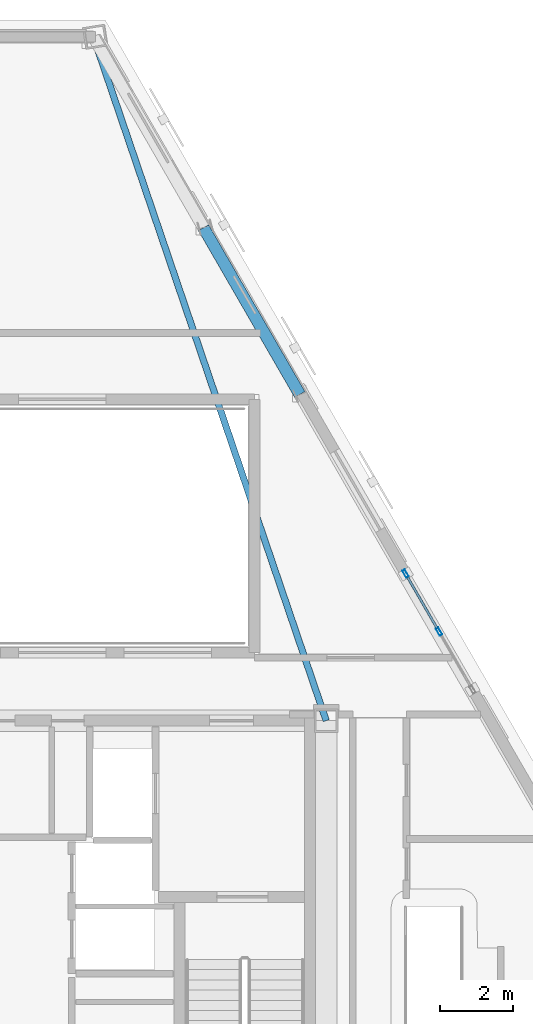
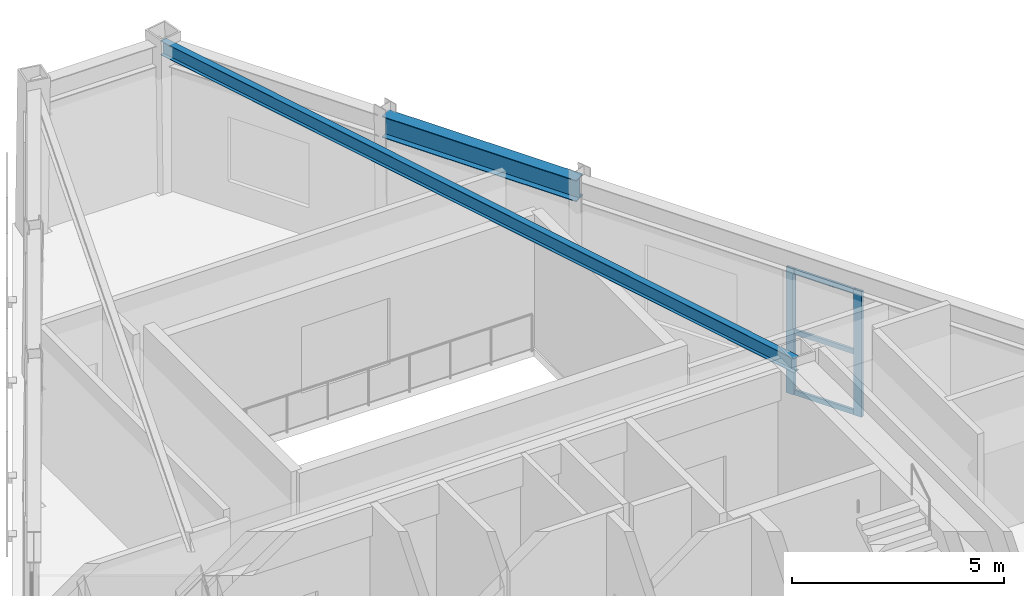
# One storey, part 6 of 14: 5 members, 2 beams, 1 element without a shape of its own.
"""IFC4 building model written with IfcOpenShell, lengths in metres."""

from ifc_helpers import new_model, si_unit, direction, frame, origin, origin_2d, place, context, subcontext, project, spatial, hollow_rectangle, i_section, extrude, material, layer, layer_set, material_profile, profile_set, type_object, element, aggregate, save


model = new_model("IFC4")

# Units and contexts
model_context = context("Model", 3, precision=1e-05, world=origin(), true_north=direction((0.0, 1.0)))
body_context = subcontext(model_context, "Body", "Model", "MODEL_VIEW")
ifc_project = project(units=[si_unit("LENGTHUNIT", "METRE"), si_unit("AREAUNIT", "SQUARE_METRE"), si_unit("VOLUMEUNIT", "CUBIC_METRE"), si_unit("PLANEANGLEUNIT", "RADIAN"), si_unit("MASSUNIT", "GRAM", prefix="KILO")], contexts=[model_context])

# Site, building, storey
site_placement = place(None, origin())
site = spatial("IfcSite", under=ifc_project, at=site_placement, CompositionType="ELEMENT")
building_placement = place(site_placement, origin())
building = spatial("IfcBuilding", under=site, at=building_placement, Name="Oramaril Tower", CompositionType="ELEMENT")
storey_placement = place(building_placement, frame((0.0, 0.0, 309.60009765625)))
storey = spatial("IfcBuildingStorey", under=building, at=storey_placement, Name="L81", CompositionType="ELEMENT", Elevation=309.60009765625)

# Beams
ifc_material_1 = material(Name="Steel ASTM A572 Gr 50", Category="steel")
ifc_material_profile_1 = material_profile(ifc_material_1, i_section(OverallWidth=0.177978515625, OverallDepth=0.404052734375, WebThickness=0.007568359375, FlangeThickness=0.010986328125, at=origin_2d()), Name="W16X36")
ifc_profile_set_1 = profile_set([ifc_material_profile_1], Name="Steel ASTM A572 Gr 50")
beam_type_1 = type_object("IfcBeamType", Name="BT-SB1", PredefinedType="BEAM", material=ifc_profile_set_1)
beam_1_placement = place(storey_placement, frame((45.64990234375, 24.14990234375, 4.037841796875), z_axis=(-0.322287262769, 0.946641917652, 0.0), x_axis=(-0.946641917652, -0.322287262769, 0.0)))
element("IfcBeam", 1, at=beam_1_placement, inside=storey, type_object=beam_type_1, Name="L81 Radial Primary Beam RB-05", PredefinedType="BEAM", context=body_context, shape_type="SweptSolid", body=[
    extrude(i_section(OverallWidth=0.177978515625, OverallDepth=0.404052734375, WebThickness=0.007568359375, FlangeThickness=0.010986328125, at=origin_2d()), origin(), (0.0, 0.0, 1.0), 19.838134765625),
])
ifc_material_2 = material(Name="Steel ASTM A572 Gr 50", Category="steel")
ifc_material_profile_2 = material_profile(ifc_material_2, i_section(OverallWidth=0.324951171875, OverallDepth=0.612060546875, WebThickness=0.0126953125, FlangeThickness=0.01904296875, at=origin_2d()), Name="W24X104")
ifc_profile_set_2 = profile_set([ifc_material_profile_2], Name="Steel ASTM A572 Gr 50")
beam_type_2 = type_object("IfcBeamType", Name="BT-SP5", PredefinedType="SPANDREL", material=ifc_profile_set_2)
beam_2_placement = place(storey_placement, frame((44.924072265625, 33.112548828125, 3.933837890625), z_axis=(-0.500020753057, 0.86601342167, 0.0), x_axis=(-0.86601342167, -0.500020753057, 0.0)))
element("IfcBeam", 2, at=beam_2_placement, inside=storey, type_object=beam_type_2, Name="L81 Perimeter Spandrel 11", PredefinedType="SPANDREL", context=body_context, shape_type="SweptSolid", body=[
    extrude(i_section(OverallWidth=0.324951171875, OverallDepth=0.612060546875, WebThickness=0.0126953125, FlangeThickness=0.01904296875, at=origin_2d()), origin(), (0.0, 0.0, 1.0), 5.289794921875),
])

# Curtain wall, members
ifc_material_3 = material(Name="Anodised Aluminium 6063-T6", Category="aluminium")
ifc_layer = layer(ifc_material_3, 0.219970703125)
ifc_layer_set = layer_set([ifc_layer], Name="CWT-SYS6")
curtain_wall_type = type_object("IfcCurtainWallType", Name="CWT-SYS6", PredefinedType="NOTDEFINED", material=ifc_layer_set)
curtain_wall_placement = place(storey_placement, origin())
curtain_wall = element("IfcCurtainWall", 3, at=curtain_wall_placement, inside=storey, type_object=curtain_wall_type, Name="L81 Unitised Curtain Wall CW-6", PredefinedType="NOTDEFINED")
ifc_material_4 = material(Name="Anodised Aluminium 6063-T6", Category="aluminium")
ifc_material_profile_3 = material_profile(ifc_material_4, hollow_rectangle(XDim=0.080078125, YDim=0.219970703125, WallThickness=0.00390625, at=origin_2d()), Name="CWM220X80")
ifc_profile_set_3 = profile_set([ifc_material_profile_3], Name="Anodised Aluminium 6063-T6")
member_type_1 = type_object("IfcMemberType", Name="MT-CWM1", PredefinedType="MULLION", material=ifc_profile_set_3)
member_1_placement = place(storey_placement, frame((48.750244140625, 26.595458984375, 0.0), z_axis=(0.0, 0.0, 1.0), x_axis=(-0.866025463091, -0.499999897278, 0.0)))
member_1 = element("IfcMember", 4, at=member_1_placement, type_object=member_type_1, Name="CW-6 mullion 2", PredefinedType="MULLION", context=body_context, shape_type="SweptSolid", body=[
    extrude(hollow_rectangle(XDim=0.080078125, YDim=0.219970703125, WallThickness=0.00390625, at=origin_2d()), origin(), (0.0, 0.0, 1.0), 3.617919921875),
])
member_2_placement = place(storey_placement, frame((47.830322265625, 28.188720703125, 0.0), z_axis=(0.0, 0.0, 1.0), x_axis=(-0.866025463091, -0.499999897278, 0.0)))
member_2 = element("IfcMember", 5, at=member_2_placement, type_object=member_type_1, Name="CW-6 mullion 3", PredefinedType="MULLION", context=body_context, shape_type="SweptSolid", body=[
    extrude(hollow_rectangle(XDim=0.080078125, YDim=0.219970703125, WallThickness=0.00390625, at=origin_2d()), origin(), (0.0, 0.0, 1.0), 3.617919921875),
])
ifc_material_5 = material(Name="Anodised Aluminium 6063-T6", Category="aluminium")
ifc_material_profile_4 = material_profile(ifc_material_5, hollow_rectangle(XDim=0.06494140625, YDim=0.139892578125, WallThickness=0.00390625, at=origin_2d()), Name="CWT140X65")
ifc_profile_set_4 = profile_set([ifc_material_profile_4], Name="Anodised Aluminium 6063-T6")
member_type_2 = type_object("IfcMemberType", Name="MT-CWT2", PredefinedType="USERDEFINED", material=ifc_profile_set_4)
member_3_placement = place(storey_placement, frame((48.6953125, 26.690673828125, 0.06982421875), z_axis=(-0.500061642096, 0.865989811779, 0.0), x_axis=(-0.865989811779, -0.500061642096, 0.0)))
member_3 = element("IfcMember", 6, at=member_3_placement, type_object=member_type_2, Name="CW-6 transom 2.1", ObjectType="TRANSOM", PredefinedType="USERDEFINED", context=body_context, shape_type="SweptSolid", body=[
    extrude(hollow_rectangle(XDim=0.06494140625, YDim=0.139892578125, WallThickness=0.00390625, at=origin_2d()), origin(), (0.0, 0.0, 1.0), 1.619873046875),
])
member_4_placement = place(storey_placement, frame((48.6953125, 26.690673828125, 1.808837890625), z_axis=(-0.500061642096, 0.865989811779, 0.0), x_axis=(-0.865989811779, -0.500061642096, 0.0)))
member_4 = element("IfcMember", 7, at=member_4_placement, type_object=member_type_2, Name="CW-6 transom 2.2", ObjectType="TRANSOM", PredefinedType="USERDEFINED", context=body_context, shape_type="SweptSolid", body=[
    extrude(hollow_rectangle(XDim=0.06494140625, YDim=0.139892578125, WallThickness=0.00390625, at=origin_2d()), origin(), (0.0, 0.0, 1.0), 1.619873046875),
])
member_5_placement = place(storey_placement, frame((48.6953125, 26.690673828125, 3.5478515625), z_axis=(-0.500061642096, 0.865989811779, 0.0), x_axis=(-0.865989811779, -0.500061642096, 0.0)))
member_5 = element("IfcMember", 8, at=member_5_placement, type_object=member_type_2, Name="CW-6 transom 2.3", ObjectType="TRANSOM", PredefinedType="USERDEFINED", context=body_context, shape_type="SweptSolid", body=[
    extrude(hollow_rectangle(XDim=0.06494140625, YDim=0.139892578125, WallThickness=0.00390625, at=origin_2d()), origin(), (0.0, 0.0, 1.0), 1.619873046875),
])
aggregate(curtain_wall, [member_1, member_2, member_3, member_4, member_5])

save(model, "model.ifc")
